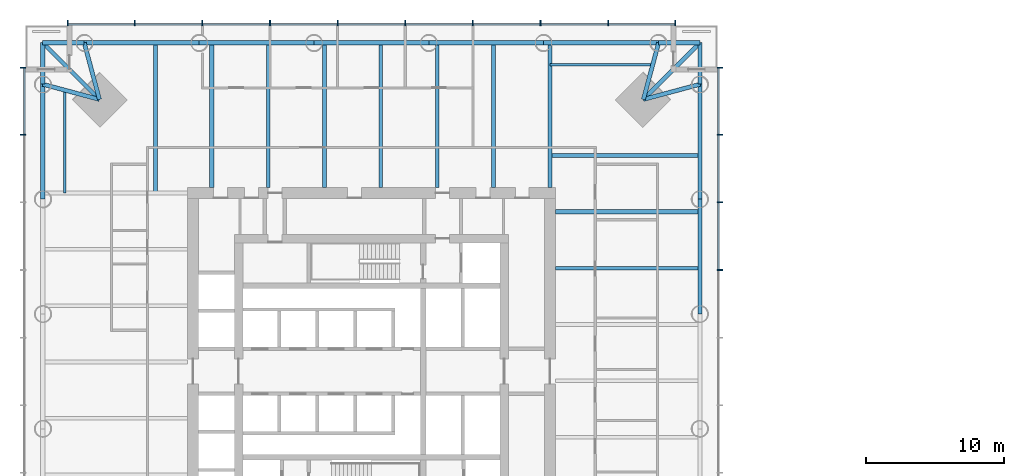
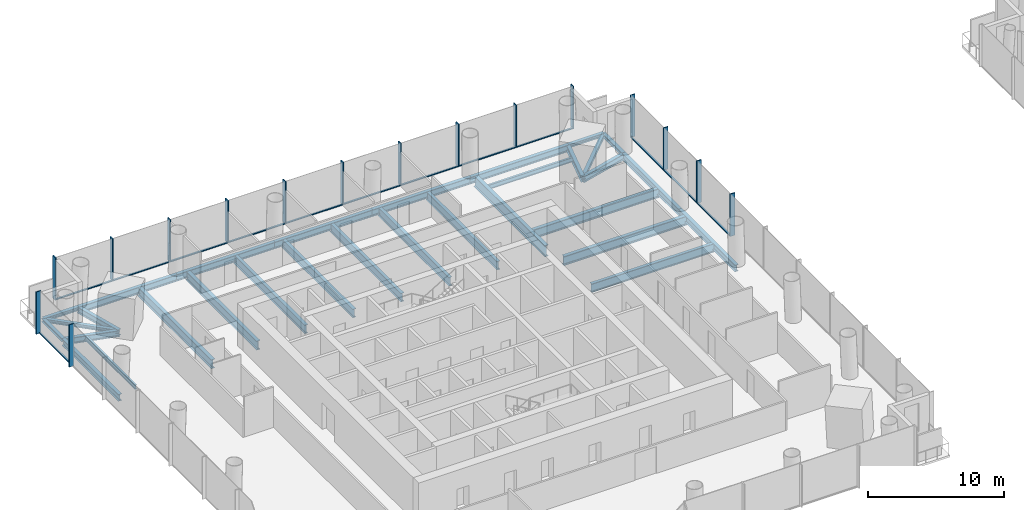
# One storey, part 4 of 20: 31 beams, 29 members, 3 elements without a shape of their own.
"""IFC4 building model written with IfcOpenShell, lengths in metres."""

from ifc_helpers import new_model, si_unit, direction, frame, origin, origin_2d, place, context, subcontext, project, spatial, rectangle, i_section, extrude, material, material_profile, profile_set, type_object, element, aggregate, save


model = new_model("IFC4")

# Units and contexts
model_context = context("Model", 3, precision=1e-05, world=origin(), true_north=direction((0.0, 1.0)))
body_context = subcontext(model_context, "Body", "Model", "MODEL_VIEW")
ifc_project = project(units=[si_unit("LENGTHUNIT", "METRE"), si_unit("AREAUNIT", "SQUARE_METRE"), si_unit("VOLUMEUNIT", "CUBIC_METRE"), si_unit("PLANEANGLEUNIT", "RADIAN"), si_unit("MASSUNIT", "GRAM", prefix="KILO")], contexts=[model_context])

# Site, building, storey
site_placement = place(None, origin())
site = spatial("IfcSite", under=ifc_project, at=site_placement, CompositionType="ELEMENT")
building_placement = place(site_placement, origin())
building = spatial("IfcBuilding", under=site, at=building_placement, Name="Ostroluk Exchange", CompositionType="ELEMENT")
storey_placement = place(building_placement, frame((0.0, 0.0, 28.60009765625)))
storey = spatial("IfcBuildingStorey", under=building, at=storey_placement, Name="L06", CompositionType="ELEMENT", Elevation=28.60009765625)

# Beams
ifc_material_1 = material(Name="Steel S355", Category="steel")
ifc_material_profile_1 = material_profile(ifc_material_1, i_section(OverallWidth=0.300048828125, OverallDepth=0.300048828125, WebThickness=0.010986328125, FlangeThickness=0.01904296875, FilletRadius=0.027099609375, at=origin_2d()), Name="HEB 300")
ifc_profile_set_1 = profile_set([ifc_material_profile_1], Name="Steel S355")
beam_type_1 = type_object("IfcBeamType", Name="Balcony beam HEB 300", PredefinedType="BEAM", material=ifc_profile_set_1)
for number, where, z_axis, x_axis, name in (
    (1, (68.757080078125, 66.757080078125, -0.330078125), (0.0, 1.0, 0.0), (-1.0, 0.0, 0.0), "T1 east balcony beam a"),
    (2, (65.757080078125, 69.757080078125, -0.330078125), (1.0, 0.0, 0.0), (0.0, 1.0, 0.0), "T1 east balcony beam b"),
):
    element("IfcBeam", number, at=place(storey_placement, frame(where, z_axis=z_axis, x_axis=x_axis)), inside=storey, type_object=beam_type_1, Name=name, PredefinedType="BEAM", context=body_context, shape_type="SweptSolid", body=[
        extrude(i_section(OverallWidth=0.300048828125, OverallDepth=0.300048828125, WebThickness=0.010986328125, FlangeThickness=0.01904296875, FilletRadius=0.027099609375, at=origin_2d()), origin(), (0.0, 0.0, 1.0), 3.0),
    ])
beam_1_placement = place(storey_placement, frame((64.6572265625, 65.6572265625, -0.330078125), z_axis=(0.707106781187, 0.707106781187, 0.0), x_axis=(-0.707106781187, 0.707106781187, 0.0)))
element("IfcBeam", 3, at=beam_1_placement, inside=storey, type_object=beam_type_1, Name="T1 east balcony beam c", PredefinedType="BEAM", context=body_context, shape_type="SweptSolid", body=[
    extrude(i_section(OverallWidth=0.300048828125, OverallDepth=0.300048828125, WebThickness=0.010986328125, FlangeThickness=0.01904296875, FilletRadius=0.027099609375, at=origin_2d()), origin(), (0.0, 0.0, 1.0), 5.798095703125),
])
for number, where, z_axis, x_axis, name in (
    (4, (24.242919921875, 69.757080078125, -0.330078125), (-1.0, 0.0, 0.0), (0.0, -1.0, 0.0), "T1 north balcony beam a"),
    (5, (21.242919921875, 66.757080078125, -0.330078125), (0.0, 1.0, 0.0), (-1.0, 0.0, 0.0), "T1 north balcony beam b"),
):
    element("IfcBeam", number, at=place(storey_placement, frame(where, z_axis=z_axis, x_axis=x_axis)), inside=storey, type_object=beam_type_1, Name=name, PredefinedType="BEAM", context=body_context, shape_type="SweptSolid", body=[
        extrude(i_section(OverallWidth=0.300048828125, OverallDepth=0.300048828125, WebThickness=0.010986328125, FlangeThickness=0.01904296875, FilletRadius=0.027099609375, at=origin_2d()), origin(), (0.0, 0.0, 1.0), 3.0),
    ])
beam_2_placement = place(storey_placement, frame((25.3427734375, 65.6572265625, -0.330078125), z_axis=(-0.707106781187, 0.707106781187, 0.0), x_axis=(-0.707106781187, -0.707106781187, 0.0)))
element("IfcBeam", 6, at=beam_2_placement, inside=storey, type_object=beam_type_1, Name="T1 north balcony beam c", PredefinedType="BEAM", context=body_context, shape_type="SweptSolid", body=[
    extrude(i_section(OverallWidth=0.300048828125, OverallDepth=0.300048828125, WebThickness=0.010986328125, FlangeThickness=0.01904296875, FilletRadius=0.027099609375, at=origin_2d()), origin(), (0.0, 0.0, 1.0), 5.798095703125),
])
ifc_material_2 = material(Name="Steel S355", Category="steel")
ifc_material_profile_2 = material_profile(ifc_material_2, i_section(OverallWidth=0.300048828125, OverallDepth=0.550048828125, WebThickness=0.014892578125, FlangeThickness=0.029052734375, FilletRadius=0.027099609375, at=origin_2d()), Name="HEB 550")
ifc_profile_set_2 = profile_set([ifc_material_profile_2], Name="Steel S355")
beam_type_2 = type_object("IfcBeamType", Name="Corner edge beam HEB 550", PredefinedType="SPANDREL", material=ifc_profile_set_2)
for number, where, z_axis, x_axis, name in (
    (7, (64.6572265625, 65.6572265625, -0.455078125), (0.965849156574, 0.259105011038, 0.0), (-0.259105011038, 0.965849156574, 0.0), "T1 east corner edge beam a"),
    (8, (64.6572265625, 65.6572265625, -0.455078125), (0.259105011038, 0.965849156574, 0.0), (-0.965849156574, 0.259105011038, 0.0), "T1 east corner edge beam b"),
    (9, (25.3427734375, 65.6572265625, -0.455078125), (-0.259105011038, 0.965849156574, 0.0), (-0.965849156574, -0.259105011038, 0.0), "T1 north corner edge beam a"),
    (10, (25.3427734375, 65.6572265625, -0.455078125), (-0.965849156574, 0.259105011038, 0.0), (-0.259105011038, -0.965849156574, 0.0), "T1 north corner edge beam b"),
):
    element("IfcBeam", number, at=place(storey_placement, frame(where, z_axis=z_axis, x_axis=x_axis)), inside=storey, type_object=beam_type_2, Name=name, PredefinedType="SPANDREL", context=body_context, shape_type="SweptSolid", body=[
        extrude(i_section(OverallWidth=0.300048828125, OverallDepth=0.550048828125, WebThickness=0.014892578125, FlangeThickness=0.029052734375, FilletRadius=0.027099609375, at=origin_2d()), origin(), (0.0, 0.0, 1.0), 4.244873046875),
    ])
ifc_material_3 = material(Name="Steel S355", Category="steel")
ifc_material_profile_3 = material_profile(ifc_material_3, i_section(OverallWidth=0.302978515625, OverallDepth=0.81396484375, WebThickness=0.02099609375, FlangeThickness=0.0400390625, FilletRadius=0.030029296875, at=origin_2d()), Name="HEM 800")
ifc_profile_set_3 = profile_set([ifc_material_profile_3], Name="Steel S355")
beam_type_3 = type_object("IfcBeamType", Name="Floor beam HEM 800", PredefinedType="BEAM", material=ifc_profile_set_3)
beam_3_placement = place(storey_placement, frame((58.300048828125, 57.5380859375, -0.587158203125), z_axis=(1.0, 0.0, 0.0), x_axis=(0.0, 1.0, 0.0)))
element("IfcBeam", 11, at=beam_3_placement, inside=storey, type_object=beam_type_3, Name="T1 east floor beam 6", PredefinedType="BEAM", context=body_context, shape_type="SweptSolid", body=[
    extrude(i_section(OverallWidth=0.302978515625, OverallDepth=0.81396484375, WebThickness=0.02099609375, FlangeThickness=0.0400390625, FilletRadius=0.030029296875, at=origin_2d()), origin(), (0.0, 0.0, 1.0), 10.45703125),
])
beam_4_placement = place(storey_placement, frame((57.89990234375, 61.611083984375, -0.587158203125), z_axis=(1.0, 0.0, 0.0), x_axis=(0.0, 1.0, 0.0)))
element("IfcBeam", 12, at=beam_4_placement, inside=storey, type_object=beam_type_3, Name="T1 east floor beam 7", PredefinedType="BEAM", context=body_context, shape_type="SweptSolid", body=[
    extrude(i_section(OverallWidth=0.302978515625, OverallDepth=0.81396484375, WebThickness=0.02099609375, FlangeThickness=0.0400390625, FilletRadius=0.030029296875, at=origin_2d()), origin(), (0.0, 0.0, 1.0), 10.857177734375),
])
beam_5_placement = place(storey_placement, frame((33.4619140625, 59.300048828125, -0.587158203125), z_axis=(0.0, 1.0, 0.0), x_axis=(-1.0, 0.0, 0.0)))
element("IfcBeam", 13, at=beam_5_placement, inside=storey, type_object=beam_type_3, Name="T1 north floor beam 6", PredefinedType="BEAM", context=body_context, shape_type="SweptSolid", body=[
    extrude(i_section(OverallWidth=0.302978515625, OverallDepth=0.81396484375, WebThickness=0.02099609375, FlangeThickness=0.0400390625, FilletRadius=0.030029296875, at=origin_2d()), origin(), (0.0, 0.0, 1.0), 10.45703125),
])
beam_6_placement = place(storey_placement, frame((29.388916015625, 58.89990234375, -0.587158203125), z_axis=(0.0, 1.0, 0.0), x_axis=(-1.0, 0.0, 0.0)))
element("IfcBeam", 14, at=beam_6_placement, inside=storey, type_object=beam_type_3, Name="T1 north floor beam 7", PredefinedType="BEAM", context=body_context, shape_type="SweptSolid", body=[
    extrude(i_section(OverallWidth=0.302978515625, OverallDepth=0.81396484375, WebThickness=0.02099609375, FlangeThickness=0.0400390625, FilletRadius=0.030029296875, at=origin_2d()), origin(), (0.0, 0.0, 1.0), 10.857177734375),
])
ifc_material_4 = material(Name="Steel S355", Category="steel")
ifc_material_profile_4 = material_profile(ifc_material_4, i_section(OverallWidth=0.179931640625, OverallDepth=0.39990234375, WebThickness=0.008544921875, FlangeThickness=0.013427734375, FilletRadius=0.02099609375, at=origin_2d()), Name="IPE 400")
ifc_profile_set_4 = profile_set([ifc_material_profile_4], Name="Steel S355")
beam_type_4 = type_object("IfcBeamType", Name="Floor beam IPE 400", PredefinedType="BEAM", material=ifc_profile_set_4)
for number, where, z_axis, x_axis, name in (
    (15, (57.89990234375, 68.1572265625, -0.380126953125), (1.0, 0.0, 0.0), (0.0, 1.0, 0.0), "T1 east floor beam 8"),
    (16, (22.8427734375, 58.89990234375, -0.380126953125), (0.0, 1.0, 0.0), (-1.0, 0.0, 0.0), "T1 north floor beam 8"),
):
    element("IfcBeam", number, at=place(storey_placement, frame(where, z_axis=z_axis, x_axis=x_axis)), inside=storey, type_object=beam_type_4, Name=name, PredefinedType="BEAM", context=body_context, shape_type="SweptSolid", body=[
        extrude(i_section(OverallWidth=0.179931640625, OverallDepth=0.39990234375, WebThickness=0.008544921875, FlangeThickness=0.013427734375, FilletRadius=0.02099609375, at=origin_2d()), origin(), (0.0, 0.0, 1.0), 7.427978515625),
    ])
ifc_material_5 = material(Name="Steel S355", Category="steel")
ifc_material_profile_5 = material_profile(ifc_material_5, i_section(OverallWidth=0.26806640625, OverallDepth=0.77001953125, WebThickness=0.015625, FlangeThickness=0.025390625, FilletRadius=0.01708984375, at=origin_2d()), Name="IPE 750x196")
ifc_profile_set_5 = profile_set([ifc_material_profile_5], Name="Steel S355")
beam_type_5 = type_object("IfcBeamType", Name="Floor beam IPE 750x196", PredefinedType="BEAM", material=ifc_profile_set_5)
for number, where, z_axis, x_axis, name in (
    (17, (58.300048828125, 53.465087890625, -0.565185546875), (1.0, 0.0, 0.0), (0.0, 1.0, 0.0), "T1 east floor beam 5"),
    (18, (53.826904296875, 59.300048828125, -0.565185546875), (0.0, 1.0, 0.0), (-1.0, 0.0, 0.0), "T1 north floor beam 1"),
    (19, (49.75390625, 59.300048828125, -0.565185546875), (0.0, 1.0, 0.0), (-1.0, 0.0, 0.0), "T1 north floor beam 2"),
    (20, (45.680908203125, 59.300048828125, -0.565185546875), (0.0, 1.0, 0.0), (-1.0, 0.0, 0.0), "T1 north floor beam 3"),
    (21, (41.60791015625, 59.300048828125, -0.565185546875), (0.0, 1.0, 0.0), (-1.0, 0.0, 0.0), "T1 north floor beam 4"),
    (22, (37.534912109375, 59.300048828125, -0.565185546875), (0.0, 1.0, 0.0), (-1.0, 0.0, 0.0), "T1 north floor beam 5"),
):
    element("IfcBeam", number, at=place(storey_placement, frame(where, z_axis=z_axis, x_axis=x_axis)), inside=storey, type_object=beam_type_5, Name=name, PredefinedType="BEAM", context=body_context, shape_type="SweptSolid", body=[
        extrude(i_section(OverallWidth=0.26806640625, OverallDepth=0.77001953125, WebThickness=0.015625, FlangeThickness=0.025390625, FilletRadius=0.01708984375, at=origin_2d()), origin(), (0.0, 0.0, 1.0), 10.45703125),
    ])
ifc_material_6 = material(Name="Steel S355", Category="steel")
ifc_material_profile_6 = material_profile(ifc_material_6, i_section(OverallWidth=0.302001953125, OverallDepth=1.008056640625, WebThickness=0.02099609375, FlangeThickness=0.0400390625, FilletRadius=0.030029296875, at=origin_2d()), Name="HEM 1000")
ifc_profile_set_6 = profile_set([ifc_material_profile_6], Name="Steel S355")
beam_type_6 = type_object("IfcBeamType", Name="Girder HEM 1000", PredefinedType="BEAM", material=ifc_profile_set_6)
beam_7_placement = place(storey_placement, frame((57.89990234375, 59.300048828125, -0.68408203125), z_axis=(0.0, 1.0, 0.0), x_axis=(-1.0, 0.0, 0.0)))
element("IfcBeam", 23, at=beam_7_placement, inside=storey, type_object=beam_type_6, Name="T1 east girder", PredefinedType="BEAM", context=body_context, shape_type="SweptSolid", body=[
    extrude(i_section(OverallWidth=0.302001953125, OverallDepth=1.008056640625, WebThickness=0.02099609375, FlangeThickness=0.0400390625, FilletRadius=0.030029296875, at=origin_2d()), origin(), (0.0, 0.0, 1.0), 10.45703125),
])
ifc_material_7 = material(Name="Steel S355", Category="steel")
ifc_material_profile_7 = material_profile(ifc_material_7, i_section(OverallWidth=0.300048828125, OverallDepth=0.60009765625, WebThickness=0.015380859375, FlangeThickness=0.030029296875, FilletRadius=0.027099609375, at=origin_2d()), Name="HEB 600")
ifc_profile_set_7 = profile_set([ifc_material_profile_7], Name="Steel S355")
beam_type_7 = type_object("IfcBeamType", Name="Moment-connected edge beam HEB 600", PredefinedType="SPANDREL", material=ifc_profile_set_7)
beam_8_placement = place(storey_placement, frame((68.757080078125, 50.1513671875, -0.47998046875), z_axis=(0.0, 1.0, 0.0), x_axis=(-1.0, 0.0, 0.0)))
element("IfcBeam", 24, at=beam_8_placement, inside=storey, type_object=beam_type_7, Name="T1 east edge beam 4", PredefinedType="SPANDREL", context=body_context, shape_type="SweptSolid", body=[
    extrude(i_section(OverallWidth=0.300048828125, OverallDepth=0.60009765625, WebThickness=0.015380859375, FlangeThickness=0.030029296875, FilletRadius=0.027099609375, at=origin_2d()), origin(), (0.0, 0.0, 1.0), 8.302978515625),
])
for number, where, z_axis, x_axis, name in (
    (25, (68.757080078125, 58.454345703125, -0.47998046875), (0.0, 1.0, 0.0), (-1.0, 0.0, 0.0), "T1 east edge beam 5"),
    (26, (65.757080078125, 69.757080078125, -0.47998046875), (-1.0, 0.0, 0.0), (0.0, -1.0, 0.0), "T1 north edge beam 1"),
):
    element("IfcBeam", number, at=place(storey_placement, frame(where, z_axis=z_axis, x_axis=x_axis)), inside=storey, type_object=beam_type_7, Name=name, PredefinedType="SPANDREL", context=body_context, shape_type="SweptSolid", body=[
        extrude(i_section(OverallWidth=0.300048828125, OverallDepth=0.60009765625, WebThickness=0.015380859375, FlangeThickness=0.030029296875, FilletRadius=0.027099609375, at=origin_2d()), origin(), (0.0, 0.0, 1.0), 8.302734375),
    ])
beam_9_placement = place(storey_placement, frame((57.454345703125, 69.757080078125, -0.47998046875), z_axis=(-1.0, 0.0, 0.0), x_axis=(0.0, -1.0, 0.0)))
element("IfcBeam", 27, at=beam_9_placement, inside=storey, type_object=beam_type_7, Name="T1 north edge beam 2", PredefinedType="SPANDREL", context=body_context, shape_type="SweptSolid", body=[
    extrude(i_section(OverallWidth=0.300048828125, OverallDepth=0.60009765625, WebThickness=0.015380859375, FlangeThickness=0.030029296875, FilletRadius=0.027099609375, at=origin_2d()), origin(), (0.0, 0.0, 1.0), 8.302978515625),
])
beam_10_placement = place(storey_placement, frame((49.1513671875, 69.757080078125, -0.47998046875), z_axis=(-1.0, 0.0, 0.0), x_axis=(0.0, -1.0, 0.0)))
element("IfcBeam", 28, at=beam_10_placement, inside=storey, type_object=beam_type_7, Name="T1 north edge beam 3", PredefinedType="SPANDREL", context=body_context, shape_type="SweptSolid", body=[
    extrude(i_section(OverallWidth=0.300048828125, OverallDepth=0.60009765625, WebThickness=0.015380859375, FlangeThickness=0.030029296875, FilletRadius=0.027099609375, at=origin_2d()), origin(), (0.0, 0.0, 1.0), 8.302734375),
])
beam_11_placement = place(storey_placement, frame((40.8486328125, 69.757080078125, -0.47998046875), z_axis=(-1.0, 0.0, 0.0), x_axis=(0.0, -1.0, 0.0)))
element("IfcBeam", 29, at=beam_11_placement, inside=storey, type_object=beam_type_7, Name="T1 north edge beam 4", PredefinedType="SPANDREL", context=body_context, shape_type="SweptSolid", body=[
    extrude(i_section(OverallWidth=0.300048828125, OverallDepth=0.60009765625, WebThickness=0.015380859375, FlangeThickness=0.030029296875, FilletRadius=0.027099609375, at=origin_2d()), origin(), (0.0, 0.0, 1.0), 8.302978515625),
])
for number, where, z_axis, x_axis, name in (
    (30, (32.545654296875, 69.757080078125, -0.47998046875), (-1.0, 0.0, 0.0), (0.0, -1.0, 0.0), "T1 north edge beam 5"),
    (31, (21.242919921875, 66.757080078125, -0.47998046875), (0.0, -1.0, 0.0), (1.0, 0.0, 0.0), "T1 west edge beam 1"),
):
    element("IfcBeam", number, at=place(storey_placement, frame(where, z_axis=z_axis, x_axis=x_axis)), inside=storey, type_object=beam_type_7, Name=name, PredefinedType="SPANDREL", context=body_context, shape_type="SweptSolid", body=[
        extrude(i_section(OverallWidth=0.300048828125, OverallDepth=0.60009765625, WebThickness=0.015380859375, FlangeThickness=0.030029296875, FilletRadius=0.027099609375, at=origin_2d()), origin(), (0.0, 0.0, 1.0), 8.302734375),
    ])

# Curtain wall, members
ifc_material_8 = material(Name="Laminated clear glass", Category="glass")
curtain_wall_type = type_object("IfcCurtainWallType", Name="Office tower facade", PredefinedType="USERDEFINED", material=ifc_material_8)
curtain_wall_1_placement = place(storey_placement, origin())
curtain_wall_1 = element("IfcCurtainWall", 32, at=curtain_wall_1_placement, inside=storey, type_object=curtain_wall_type, Name="Office tower east facade L06", ObjectType="UNITISED CURTAIN WALL", PredefinedType="USERDEFINED")
ifc_material_9 = material(Name="Aluminium mullion", Category="aluminium")
ifc_material_profile_8 = material_profile(ifc_material_9, rectangle(XDim=0.14990234375, YDim=0.080078125, at=origin_2d()), Name="Sill transom 80 x 150")
ifc_profile_set_8 = profile_set([ifc_material_profile_8], Name="Aluminium mullion")
member_type_1 = type_object("IfcMemberType", Name="Sill transom 80 x 150", PredefinedType="USERDEFINED", material=ifc_profile_set_8)
member_1_placement = place(storey_placement, frame((70.074951171875, 53.373291015625, 0.039794921875), z_axis=(0.0, 1.0, 0.0), x_axis=(-1.0, 0.0, 0.0)))
member_1 = element("IfcMember", 33, at=member_1_placement, type_object=member_type_1, Name="CW-O1 transom 7.1", ObjectType="TRANSOM", PredefinedType="USERDEFINED", context=body_context, shape_type="SweptSolid", body=[
    extrude(rectangle(XDim=0.14990234375, YDim=0.080078125, at=origin_2d()), origin(), (0.0, 0.0, 1.0), 4.808837890625),
])
member_2_placement = place(storey_placement, frame((70.074951171875, 58.26220703125, 0.039794921875), z_axis=(0.0, 1.0, 0.0), x_axis=(-1.0, 0.0, 0.0)))
member_2 = element("IfcMember", 34, at=member_2_placement, type_object=member_type_1, Name="CW-O1 transom 8.1", ObjectType="TRANSOM", PredefinedType="USERDEFINED", context=body_context, shape_type="SweptSolid", body=[
    extrude(rectangle(XDim=0.14990234375, YDim=0.080078125, at=origin_2d()), origin(), (0.0, 0.0, 1.0), 4.808837890625),
])
member_3_placement = place(storey_placement, frame((70.074951171875, 63.151123046875, 0.039794921875), z_axis=(0.0, 1.0, 0.0), x_axis=(-1.0, 0.0, 0.0)))
member_3 = element("IfcMember", 35, at=member_3_placement, type_object=member_type_1, Name="CW-O1 transom 9.1", ObjectType="TRANSOM", PredefinedType="USERDEFINED", context=body_context, shape_type="SweptSolid", body=[
    extrude(rectangle(XDim=0.14990234375, YDim=0.080078125, at=origin_2d()), origin(), (0.0, 0.0, 1.0), 4.768798828125),
])

curtain_wall_2_placement = place(storey_placement, origin())
curtain_wall_2 = element("IfcCurtainWall", 36, at=curtain_wall_2_placement, inside=storey, type_object=curtain_wall_type, Name="Office tower north facade L06", ObjectType="UNITISED CURTAIN WALL", PredefinedType="USERDEFINED")
member_4_placement = place(storey_placement, frame((66.919921875, 71.074951171875, 0.039794921875), z_axis=(-1.0, 0.0, 0.0), x_axis=(0.0, -1.0, 0.0)))
member_4 = element("IfcMember", 37, at=member_4_placement, type_object=member_type_1, Name="CW-O1 transom 1.1", ObjectType="TRANSOM", PredefinedType="USERDEFINED", context=body_context, shape_type="SweptSolid", body=[
    extrude(rectangle(XDim=0.14990234375, YDim=0.080078125, at=origin_2d()), origin(), (0.0, 0.0, 1.0), 4.768798828125),
])
member_5_placement = place(storey_placement, frame((62.071044921875, 71.074951171875, 0.039794921875), z_axis=(-1.0, 0.0, 0.0), x_axis=(0.0, -1.0, 0.0)))
member_5 = element("IfcMember", 38, at=member_5_placement, type_object=member_type_1, Name="CW-O1 transom 2.1", ObjectType="TRANSOM", PredefinedType="USERDEFINED", context=body_context, shape_type="SweptSolid", body=[
    extrude(rectangle(XDim=0.14990234375, YDim=0.080078125, at=origin_2d()), origin(), (0.0, 0.0, 1.0), 4.808837890625),
])
member_6_placement = place(storey_placement, frame((57.18212890625, 71.074951171875, 0.039794921875), z_axis=(-1.0, 0.0, 0.0), x_axis=(0.0, -1.0, 0.0)))
member_6 = element("IfcMember", 39, at=member_6_placement, type_object=member_type_1, Name="CW-O1 transom 3.1", ObjectType="TRANSOM", PredefinedType="USERDEFINED", context=body_context, shape_type="SweptSolid", body=[
    extrude(rectangle(XDim=0.14990234375, YDim=0.080078125, at=origin_2d()), origin(), (0.0, 0.0, 1.0), 4.808837890625),
])
member_7_placement = place(storey_placement, frame((52.293212890625, 71.074951171875, 0.039794921875), z_axis=(-1.0, 0.0, 0.0), x_axis=(0.0, -1.0, 0.0)))
member_7 = element("IfcMember", 40, at=member_7_placement, type_object=member_type_1, Name="CW-O1 transom 4.1", ObjectType="TRANSOM", PredefinedType="USERDEFINED", context=body_context, shape_type="SweptSolid", body=[
    extrude(rectangle(XDim=0.14990234375, YDim=0.080078125, at=origin_2d()), origin(), (0.0, 0.0, 1.0), 4.808837890625),
])
member_8_placement = place(storey_placement, frame((47.404541015625, 71.074951171875, 0.039794921875), z_axis=(-1.0, 0.0, 0.0), x_axis=(0.0, -1.0, 0.0)))
member_8 = element("IfcMember", 41, at=member_8_placement, type_object=member_type_1, Name="CW-O1 transom 5.1", ObjectType="TRANSOM", PredefinedType="USERDEFINED", context=body_context, shape_type="SweptSolid", body=[
    extrude(rectangle(XDim=0.14990234375, YDim=0.080078125, at=origin_2d()), origin(), (0.0, 0.0, 1.0), 4.80908203125),
])
member_9_placement = place(storey_placement, frame((42.515625, 71.074951171875, 0.039794921875), z_axis=(-1.0, 0.0, 0.0), x_axis=(0.0, -1.0, 0.0)))
member_9 = element("IfcMember", 42, at=member_9_placement, type_object=member_type_1, Name="CW-O1 transom 6.1", ObjectType="TRANSOM", PredefinedType="USERDEFINED", context=body_context, shape_type="SweptSolid", body=[
    extrude(rectangle(XDim=0.14990234375, YDim=0.080078125, at=origin_2d()), origin(), (0.0, 0.0, 1.0), 4.808837890625),
])
member_10_placement = place(storey_placement, frame((37.626708984375, 71.074951171875, 0.039794921875), z_axis=(-1.0, 0.0, 0.0), x_axis=(0.0, -1.0, 0.0)))
member_10 = element("IfcMember", 43, at=member_10_placement, type_object=member_type_1, Name="CW-O1 transom 7.1", ObjectType="TRANSOM", PredefinedType="USERDEFINED", context=body_context, shape_type="SweptSolid", body=[
    extrude(rectangle(XDim=0.14990234375, YDim=0.080078125, at=origin_2d()), origin(), (0.0, 0.0, 1.0), 4.808837890625),
])
member_11_placement = place(storey_placement, frame((32.73779296875, 71.074951171875, 0.039794921875), z_axis=(-1.0, 0.0, 0.0), x_axis=(0.0, -1.0, 0.0)))
member_11 = element("IfcMember", 44, at=member_11_placement, type_object=member_type_1, Name="CW-O1 transom 8.1", ObjectType="TRANSOM", PredefinedType="USERDEFINED", context=body_context, shape_type="SweptSolid", body=[
    extrude(rectangle(XDim=0.14990234375, YDim=0.080078125, at=origin_2d()), origin(), (0.0, 0.0, 1.0), 4.808837890625),
])
member_12_placement = place(storey_placement, frame((27.848876953125, 71.074951171875, 0.039794921875), z_axis=(-1.0, 0.0, 0.0), x_axis=(0.0, -1.0, 0.0)))
member_12 = element("IfcMember", 45, at=member_12_placement, type_object=member_type_1, Name="CW-O1 transom 9.1", ObjectType="TRANSOM", PredefinedType="USERDEFINED", context=body_context, shape_type="SweptSolid", body=[
    extrude(rectangle(XDim=0.14990234375, YDim=0.080078125, at=origin_2d()), origin(), (0.0, 0.0, 1.0), 4.768798828125),
])

# Curtain wall, member
curtain_wall_3_placement = place(storey_placement, origin())
curtain_wall_3 = element("IfcCurtainWall", 46, at=curtain_wall_3_placement, inside=storey, type_object=curtain_wall_type, Name="Office tower west facade L06", ObjectType="UNITISED CURTAIN WALL", PredefinedType="USERDEFINED")
member_13_placement = place(storey_placement, frame((19.925048828125, 67.919921875, 0.039794921875), z_axis=(0.0, -1.0, 0.0), x_axis=(1.0, 0.0, 0.0)))
member_13 = element("IfcMember", 47, at=member_13_placement, type_object=member_type_1, Name="CW-O1 transom 1.1", ObjectType="TRANSOM", PredefinedType="USERDEFINED", context=body_context, shape_type="SweptSolid", body=[
    extrude(rectangle(XDim=0.14990234375, YDim=0.080078125, at=origin_2d()), origin(), (0.0, 0.0, 1.0), 4.768798828125),
])

# Member
ifc_material_10 = material(Name="Aluminium mullion with limestone facing", Category="masonry")
ifc_material_profile_9 = material_profile(ifc_material_10, rectangle(XDim=0.39990234375, YDim=0.080078125, at=origin_2d()), Name="Tracery mullion 80 x 400")
ifc_profile_set_9 = profile_set([ifc_material_profile_9], Name="Aluminium mullion with limestone facing")
member_type_2 = type_object("IfcMemberType", Name="Tracery mullion 80 x 400", PredefinedType="MULLION", material=ifc_profile_set_9)
member_14_placement = place(storey_placement, frame((70.199951171875, 53.333251953125, 0.0), z_axis=(0.0, 0.0, 1.0), x_axis=(-1.0, 0.0, 0.0)))
member_14 = element("IfcMember", 48, at=member_14_placement, type_object=member_type_2, Name="CW-O1 mullion 7", PredefinedType="MULLION", context=body_context, shape_type="SweptSolid", body=[
    extrude(rectangle(XDim=0.39990234375, YDim=0.080078125, at=origin_2d()), origin(), (0.0, 0.0, 1.0), 3.7998046875),
])

member_15_placement = place(storey_placement, frame((70.199951171875, 58.22216796875, 0.0), z_axis=(0.0, 0.0, 1.0), x_axis=(-1.0, 0.0, 0.0)))
member_15 = element("IfcMember", 49, at=member_15_placement, type_object=member_type_2, Name="CW-O1 mullion 8", PredefinedType="MULLION", context=body_context, shape_type="SweptSolid", body=[
    extrude(rectangle(XDim=0.39990234375, YDim=0.080078125, at=origin_2d()), origin(), (0.0, 0.0, 1.0), 3.7998046875),
])

member_16_placement = place(storey_placement, frame((70.199951171875, 63.111083984375, 0.0), z_axis=(0.0, 0.0, 1.0), x_axis=(-1.0, 0.0, 0.0)))
member_16 = element("IfcMember", 50, at=member_16_placement, type_object=member_type_2, Name="CW-O1 mullion 9", PredefinedType="MULLION", context=body_context, shape_type="SweptSolid", body=[
    extrude(rectangle(XDim=0.39990234375, YDim=0.080078125, at=origin_2d()), origin(), (0.0, 0.0, 1.0), 3.7998046875),
])

member_17_placement = place(storey_placement, frame((70.199951171875, 67.9599609375, 0.0), z_axis=(0.0, 0.0, 1.0), x_axis=(-1.0, 0.0, 0.0)))
member_17 = element("IfcMember", 51, at=member_17_placement, type_object=member_type_2, Name="CW-O1 mullion 10", PredefinedType="MULLION", context=body_context, shape_type="SweptSolid", body=[
    extrude(rectangle(XDim=0.39990234375, YDim=0.080078125, at=origin_2d()), origin(), (0.0, 0.0, 1.0), 3.7998046875),
])

aggregate(curtain_wall_1, [member_14, member_15, member_16, member_17, member_1, member_2, member_3])

member_18_placement = place(storey_placement, frame((66.9599609375, 71.199951171875, 0.0), z_axis=(0.0, 0.0, 1.0), x_axis=(0.0, -1.0, 0.0)))
member_18 = element("IfcMember", 52, at=member_18_placement, type_object=member_type_2, Name="CW-O1 mullion 1", PredefinedType="MULLION", context=body_context, shape_type="SweptSolid", body=[
    extrude(rectangle(XDim=0.39990234375, YDim=0.080078125, at=origin_2d()), origin(), (0.0, 0.0, 1.0), 3.7998046875),
])

member_19_placement = place(storey_placement, frame((62.111083984375, 71.199951171875, 0.0), z_axis=(0.0, 0.0, 1.0), x_axis=(0.0, -1.0, 0.0)))
member_19 = element("IfcMember", 53, at=member_19_placement, type_object=member_type_2, Name="CW-O1 mullion 2", PredefinedType="MULLION", context=body_context, shape_type="SweptSolid", body=[
    extrude(rectangle(XDim=0.39990234375, YDim=0.080078125, at=origin_2d()), origin(), (0.0, 0.0, 1.0), 3.7998046875),
])

member_20_placement = place(storey_placement, frame((57.22216796875, 71.199951171875, 0.0), z_axis=(0.0, 0.0, 1.0), x_axis=(0.0, -1.0, 0.0)))
member_20 = element("IfcMember", 54, at=member_20_placement, type_object=member_type_2, Name="CW-O1 mullion 3", PredefinedType="MULLION", context=body_context, shape_type="SweptSolid", body=[
    extrude(rectangle(XDim=0.39990234375, YDim=0.080078125, at=origin_2d()), origin(), (0.0, 0.0, 1.0), 3.7998046875),
])

member_21_placement = place(storey_placement, frame((52.333251953125, 71.199951171875, 0.0), z_axis=(0.0, 0.0, 1.0), x_axis=(0.0, -1.0, 0.0)))
member_21 = element("IfcMember", 55, at=member_21_placement, type_object=member_type_2, Name="CW-O1 mullion 4", PredefinedType="MULLION", context=body_context, shape_type="SweptSolid", body=[
    extrude(rectangle(XDim=0.39990234375, YDim=0.080078125, at=origin_2d()), origin(), (0.0, 0.0, 1.0), 3.7998046875),
])

member_22_placement = place(storey_placement, frame((47.4443359375, 71.199951171875, 0.0), z_axis=(0.0, 0.0, 1.0), x_axis=(0.0, -1.0, 0.0)))
member_22 = element("IfcMember", 56, at=member_22_placement, type_object=member_type_2, Name="CW-O1 mullion 5", PredefinedType="MULLION", context=body_context, shape_type="SweptSolid", body=[
    extrude(rectangle(XDim=0.39990234375, YDim=0.080078125, at=origin_2d()), origin(), (0.0, 0.0, 1.0), 3.7998046875),
])

member_23_placement = place(storey_placement, frame((42.5556640625, 71.199951171875, 0.0), z_axis=(0.0, 0.0, 1.0), x_axis=(0.0, -1.0, 0.0)))
member_23 = element("IfcMember", 57, at=member_23_placement, type_object=member_type_2, Name="CW-O1 mullion 6", PredefinedType="MULLION", context=body_context, shape_type="SweptSolid", body=[
    extrude(rectangle(XDim=0.39990234375, YDim=0.080078125, at=origin_2d()), origin(), (0.0, 0.0, 1.0), 3.7998046875),
])

member_24_placement = place(storey_placement, frame((37.666748046875, 71.199951171875, 0.0), z_axis=(0.0, 0.0, 1.0), x_axis=(0.0, -1.0, 0.0)))
member_24 = element("IfcMember", 58, at=member_24_placement, type_object=member_type_2, Name="CW-O1 mullion 7", PredefinedType="MULLION", context=body_context, shape_type="SweptSolid", body=[
    extrude(rectangle(XDim=0.39990234375, YDim=0.080078125, at=origin_2d()), origin(), (0.0, 0.0, 1.0), 3.7998046875),
])

member_25_placement = place(storey_placement, frame((32.77783203125, 71.199951171875, 0.0), z_axis=(0.0, 0.0, 1.0), x_axis=(0.0, -1.0, 0.0)))
member_25 = element("IfcMember", 59, at=member_25_placement, type_object=member_type_2, Name="CW-O1 mullion 8", PredefinedType="MULLION", context=body_context, shape_type="SweptSolid", body=[
    extrude(rectangle(XDim=0.39990234375, YDim=0.080078125, at=origin_2d()), origin(), (0.0, 0.0, 1.0), 3.7998046875),
])

member_26_placement = place(storey_placement, frame((27.888916015625, 71.199951171875, 0.0), z_axis=(0.0, 0.0, 1.0), x_axis=(0.0, -1.0, 0.0)))
member_26 = element("IfcMember", 60, at=member_26_placement, type_object=member_type_2, Name="CW-O1 mullion 9", PredefinedType="MULLION", context=body_context, shape_type="SweptSolid", body=[
    extrude(rectangle(XDim=0.39990234375, YDim=0.080078125, at=origin_2d()), origin(), (0.0, 0.0, 1.0), 3.7998046875),
])

member_27_placement = place(storey_placement, frame((23.0400390625, 71.199951171875, 0.0), z_axis=(0.0, 0.0, 1.0), x_axis=(0.0, -1.0, 0.0)))
member_27 = element("IfcMember", 61, at=member_27_placement, type_object=member_type_2, Name="CW-O1 mullion 10", PredefinedType="MULLION", context=body_context, shape_type="SweptSolid", body=[
    extrude(rectangle(XDim=0.39990234375, YDim=0.080078125, at=origin_2d()), origin(), (0.0, 0.0, 1.0), 3.7998046875),
])

aggregate(curtain_wall_2, [member_18, member_19, member_20, member_21, member_22, member_23, member_24, member_25, member_26, member_27, member_4, member_5, member_6, member_7, member_8, member_9, member_10, member_11, member_12])

member_28_placement = place(storey_placement, frame((19.800048828125, 67.9599609375, 0.0), z_axis=(0.0, 0.0, 1.0), x_axis=(1.0, 0.0, 0.0)))
member_28 = element("IfcMember", 62, at=member_28_placement, type_object=member_type_2, Name="CW-O1 mullion 1", PredefinedType="MULLION", context=body_context, shape_type="SweptSolid", body=[
    extrude(rectangle(XDim=0.39990234375, YDim=0.080078125, at=origin_2d()), origin(), (0.0, 0.0, 1.0), 3.7998046875),
])

member_29_placement = place(storey_placement, frame((19.800048828125, 63.111083984375, 0.0), z_axis=(0.0, 0.0, 1.0), x_axis=(1.0, 0.0, 0.0)))
member_29 = element("IfcMember", 63, at=member_29_placement, type_object=member_type_2, Name="CW-O1 mullion 2", PredefinedType="MULLION", context=body_context, shape_type="SweptSolid", body=[
    extrude(rectangle(XDim=0.39990234375, YDim=0.080078125, at=origin_2d()), origin(), (0.0, 0.0, 1.0), 3.7998046875),
])

aggregate(curtain_wall_3, [member_28, member_29, member_13])

save(model, "model.ifc")
